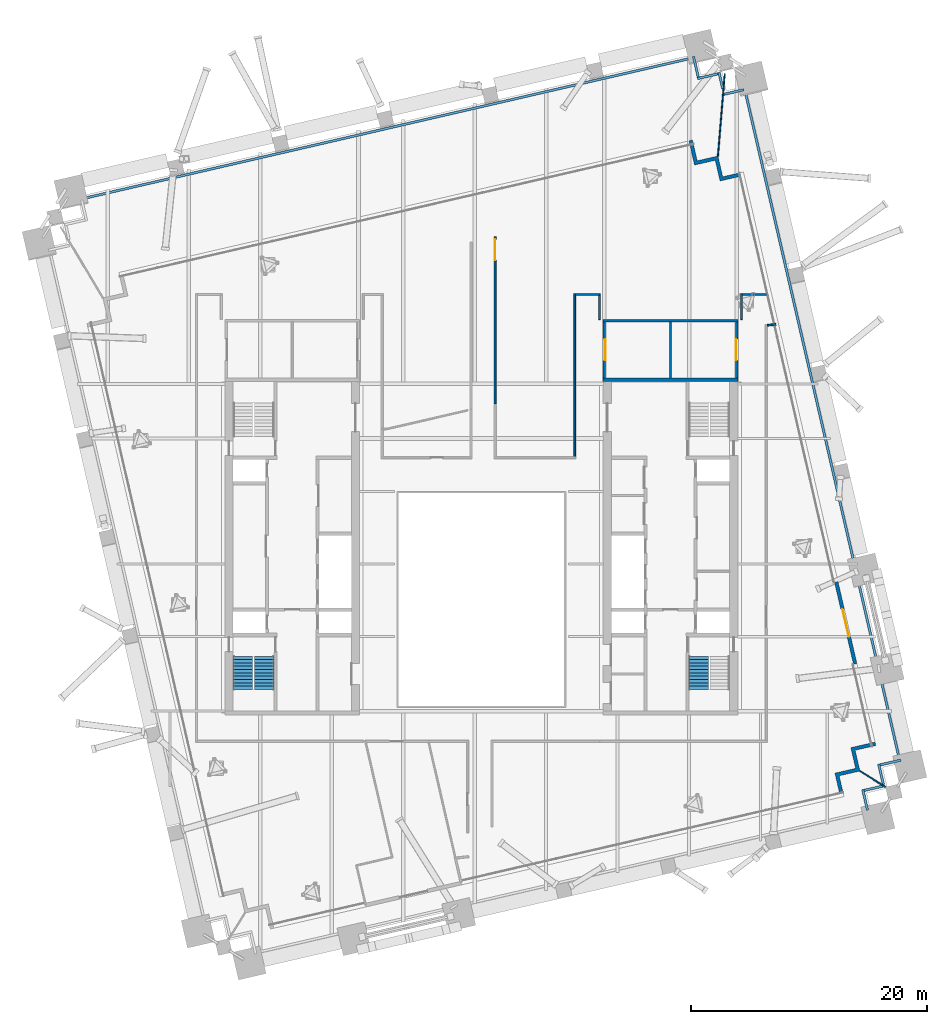
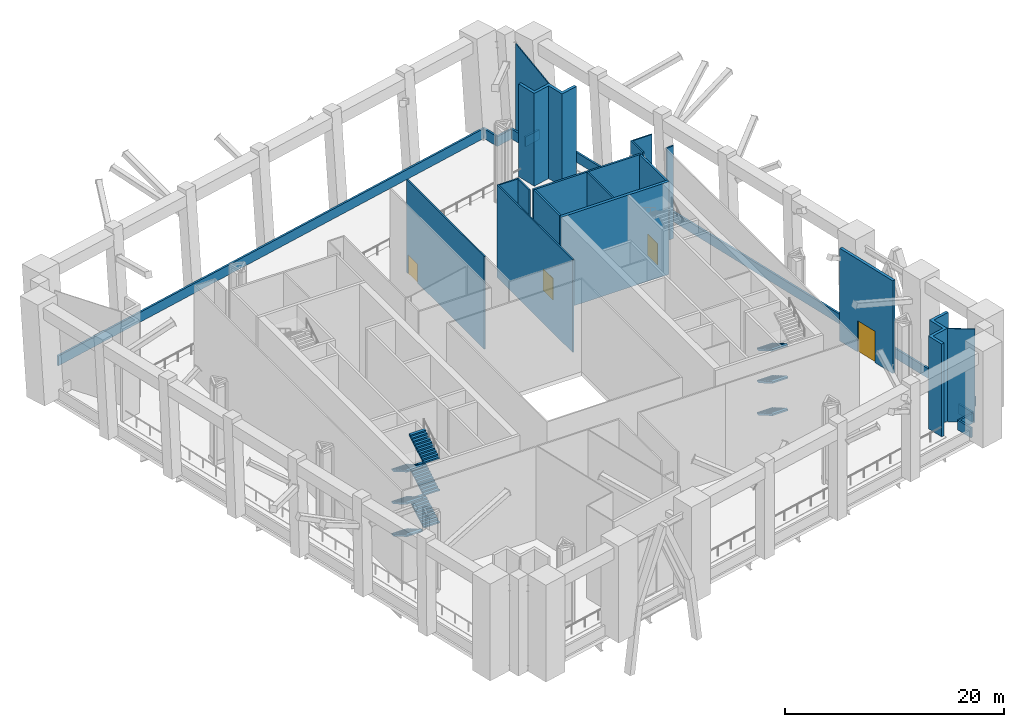
# One storey, part 19 of 25: 27 walls, 9 stair flights, 4 doors, 4 openings, 2 elements without a shape of their own.
"""IFC4 building model written with IfcOpenShell, lengths in metres."""

from ifc_helpers import new_model, si_unit, direction, frame, frame_2d, origin, place, context, subcontext, project, spatial, polyline, rectangle, outline, extrude, material, layer, layer_set, type_object, element, fill, aggregate, save


model = new_model("IFC4")

# Units and contexts
model_context = context("Model", 3, precision=1e-05, world=origin(), true_north=direction((0.0, 1.0)))
body_context = subcontext(model_context, "Body", "Model", "MODEL_VIEW")
ifc_project = project(units=[si_unit("LENGTHUNIT", "METRE"), si_unit("AREAUNIT", "SQUARE_METRE"), si_unit("VOLUMEUNIT", "CUBIC_METRE"), si_unit("PLANEANGLEUNIT", "RADIAN"), si_unit("MASSUNIT", "GRAM", prefix="KILO")], contexts=[model_context])

# Site, building, storey
site_placement = place(None, origin())
site = spatial("IfcSite", under=ifc_project, at=site_placement, CompositionType="ELEMENT")
building_placement = place(site_placement, origin())
building = spatial("IfcBuilding", under=site, at=building_placement, Name="Ogive Exchange Tower", CompositionType="ELEMENT")
storey_placement = place(building_placement, frame((0.0, 0.0, 226.199951171875)))
storey = spatial("IfcBuildingStorey", under=building, at=storey_placement, Name="L50", CompositionType="ELEMENT", Elevation=226.199951171875)

# Wall
ifc_material_1 = material(Name="Gypsum board partition")
ifc_layer_1 = layer(ifc_material_1, 0.14990234375)
ifc_layer_set_1 = layer_set([ifc_layer_1], Name="Core room partition 150 gypsum")
wall_type_1 = type_object("IfcWallType", Name="Core room partition 150 gypsum", PredefinedType="PARTITIONING", material=ifc_layer_set_1)
wall_1_placement = place(storey_placement, frame((16.0, 25.75, 0.0), z_axis=(0.0, 0.0, 1.0), x_axis=(0.0, 1.0, 0.0)))
element("IfcWall", 1, at=wall_1_placement, inside=storey, type_object=wall_type_1, Name="E annex N column wall", PredefinedType="PARTITIONING", context=body_context, shape_type="SweptSolid", body=[
    extrude(rectangle(XDim=4.75, YDim=0.14990234375, at=frame_2d((2.375, 0.0))), origin(), (0.0, 0.0, 1.0), 10.35009765625),
])

# Wall, opening, door
ifc_material_2 = material(Name="Fire partition EI 60 150")
ifc_layer_2 = layer(ifc_material_2, 0.14990234375)
ifc_layer_set_2 = layer_set([ifc_layer_2], Name="Fire partition EI 60 150")
wall_type_2 = type_object("IfcWallType", Name="Fire partition EI 60 150", PredefinedType="PARTITIONING", material=ifc_layer_set_2)
wall_2_placement = place(storey_placement, frame((1.159912109375, 37.71240234375, 0.0), z_axis=(0.0, 0.0, 1.0), x_axis=(0.0, -1.0, 0.0)))
wall_2 = element("IfcWall", 2, at=wall_2_placement, inside=storey, type_object=wall_type_2, Name="L50-PWL-027", PredefinedType="PARTITIONING", context=body_context, shape_type="SweptSolid", body=[
    extrude(rectangle(XDim=14.162353515625, YDim=0.14990234375, at=frame_2d((7.0810546875, 0.0))), origin(), (0.0, 0.0, 1.0), 10.35009765625),
])
opening_1_placement = place(wall_2_placement, frame((0.21240234375, 0.0, 0.0)))
opening_1 = element("IfcOpeningElement", 3, at=opening_1_placement, cuts=wall_2, Name="Opening L50-I05", PredefinedType="OPENING", context=body_context, shape_type="SweptSolid", body=[
    extrude(rectangle(XDim=1.800048828125, YDim=2.10009765625, at=frame_2d((0.89990234375, 1.050048828125))), frame((0.0, 0.0849609375, 0.0), z_axis=(0.0, -1.0, 0.0), x_axis=(1.0, 0.0, 0.0)), (0.0, 0.0, 1.0), 0.169921875),
])
ifc_material_3 = material(Name="Fire door FD 30S 1800 x 2100")
door_type_1 = type_object("IfcDoorType", Name="Fire door FD 30S 1800 x 2100", OperationType="DOUBLE_DOOR_SINGLE_SWING", PredefinedType="DOOR", material=ifc_material_3)
door_1_placement = place(opening_1_placement, origin())
door_1 = element("IfcDoor", 4, at=door_1_placement, inside=storey, type_object=door_type_1, Name="L50-IDR-005", ObjectType="DT4", OperationType="SINGLE_SWING_LEFT", OverallHeight=2.10009765625, OverallWidth=1.800048828125, PredefinedType="DOOR", context=body_context, shape_type="SweptSolid", body=[
    extrude(rectangle(XDim=1.800048828125, YDim=2.10009765625, at=frame_2d((0.89990234375, 1.050048828125))), frame((0.0, 0.02490234375, 0.0), z_axis=(0.0, -1.0, 0.0), x_axis=(1.0, 0.0, 0.0)), (0.0, 0.0, 1.0), 0.050048828125),
])
fill(opening_1, door_1)

# Walls
wall_3_placement = place(storey_placement, frame((7.89990234375, 19.074951171875, 0.0), z_axis=(0.0, 0.0, 1.0), x_axis=(0.0, 1.0, 0.0)))
element("IfcWall", 5, at=wall_3_placement, inside=storey, type_object=wall_type_2, Name="L50-PWL-028", PredefinedType="PARTITIONING", context=body_context, shape_type="SweptSolid", body=[
    extrude(rectangle(XDim=13.800048828125, YDim=0.14990234375, at=frame_2d((6.89990234375, 0.0))), origin(), (0.0, 0.0, 1.0), 10.35009765625),
])
wall_4_placement = place(storey_placement, frame((7.97509765625, 32.800048828125, 0.0), z_axis=(0.0, 0.0, 1.0), x_axis=(1.0, 0.0, 0.0)))
element("IfcWall", 6, at=wall_4_placement, inside=storey, type_object=wall_type_2, Name="L50-PWL-029", PredefinedType="PARTITIONING", context=body_context, shape_type="SweptSolid", body=[
    extrude(rectangle(XDim=2.099853515625, YDim=0.14990234375, at=frame_2d((1.0498046875, 0.0))), origin(), (0.0, 0.0, 1.0), 10.35009765625),
])
wall_5_placement = place(storey_placement, frame((10.0, 32.72509765625, 0.0), z_axis=(0.0, 0.0, 1.0), x_axis=(0.0, -1.0, 0.0)))
element("IfcWall", 7, at=wall_5_placement, inside=storey, type_object=wall_type_2, Name="L50-PWL-031", PredefinedType="PARTITIONING", context=body_context, shape_type="SweptSolid", body=[
    extrude(rectangle(XDim=2.03515625, YDim=0.14990234375, at=frame_2d((1.017578125, 0.0))), origin(), (0.0, 0.0, 1.0), 10.35009765625),
])
wall_6_placement = place(storey_placement, frame((22.0, 30.68994140625, 0.0), z_axis=(0.0, 0.0, 1.0), x_axis=(0.0, 1.0, 0.0)))
element("IfcWall", 8, at=wall_6_placement, inside=storey, type_object=wall_type_2, Name="L50-PWL-032", PredefinedType="PARTITIONING", context=body_context, shape_type="SweptSolid", body=[
    extrude(rectangle(XDim=2.18505859375, YDim=0.14990234375, at=frame_2d((1.092529296875, 0.0))), origin(), (0.0, 0.0, 1.0), 10.35009765625),
])
wall_7_placement = place(storey_placement, frame((22.074951171875, 32.800048828125, 0.0), z_axis=(0.0, 0.0, 1.0), x_axis=(1.0, 0.0, 0.0)))
element("IfcWall", 9, at=wall_7_placement, inside=storey, type_object=wall_type_2, Name="L50-PWL-033", PredefinedType="PARTITIONING", context=body_context, shape_type="SweptSolid", body=[
    extrude(rectangle(XDim=2.025146484375, YDim=0.14990234375, at=frame_2d((1.0126953125, 0.0))), origin(), (0.0, 0.0, 1.0), 10.35009765625),
])
wall_8_placement = place(storey_placement, frame((24.91796875, 30.284912109375, 0.0), z_axis=(0.0, 0.0, 1.0), x_axis=(-0.99339322031, -0.114760227617, 0.0)))
element("IfcWall", 10, at=wall_8_placement, inside=storey, type_object=wall_type_2, Name="L50-PWL-036", PredefinedType="PARTITIONING", context=body_context, shape_type="SweptSolid", body=[
    extrude(rectangle(XDim=0.748779296875, YDim=0.14990234375, at=frame_2d((0.37451171875, 0.0))), origin(), (0.0, 0.0, 1.0), 10.35009765625),
])

# Wall, opening, door
ifc_material_4 = material(Name="Precast concrete C40/50", Category="concrete")
ifc_layer_3 = layer(ifc_material_4, 0.300048828125)
ifc_layer_set_3 = layer_set([ifc_layer_3], Name="Limestone-faced wall 300")
wall_type_3 = type_object("IfcWallType", Name="Limestone-faced wall 300", PredefinedType="STANDARD", material=ifc_layer_set_3)
wall_9_placement = place(storey_placement, frame((31.624267578125, 1.547607421875, 0.0), z_axis=(0.0, 0.0, 1.0), x_axis=(-0.224949733175, 0.9743703698, 0.0)))
wall_9 = element("IfcWall", 11, at=wall_9_placement, inside=storey, type_object=wall_type_3, Name="External wall E2", PredefinedType="STANDARD", context=body_context, shape_type="SweptSolid", body=[
    extrude(rectangle(XDim=7.1142578125, YDim=0.300048828125, at=frame_2d((3.55712890625, 0.0))), origin(), (0.0, 0.0, 1.0), 10.35009765625),
])
opening_2_placement = place(wall_9_placement, frame((2.357177734375, 0.0, 0.0)))
opening_2 = element("IfcOpeningElement", 12, at=opening_2_placement, cuts=wall_9, Name="Opening D1", PredefinedType="OPENING", context=body_context, shape_type="SweptSolid", body=[
    extrude(rectangle(XDim=2.39990234375, YDim=3.5, at=frame_2d((1.199951171875, 1.75))), frame((0.0, 0.159912109375, 0.0), z_axis=(0.0, -1.0, 0.0), x_axis=(1.0, 0.0, 0.0)), (0.0, 0.0, 1.0), 0.320068359375),
])
ifc_material_5 = material(Name="Clear glass in bronze frame", Category="glass")
door_type_2 = type_object("IfcDoorType", Name="Sliding loggia door 2400 x 3500", OperationType="DOUBLE_DOOR_SLIDING", PredefinedType="DOOR", material=ifc_material_5)
door_2_placement = place(opening_2_placement, origin())
door_2 = element("IfcDoor", 13, at=door_2_placement, inside=storey, type_object=door_type_2, Name="Loggia door E01", OperationType="DOUBLE_DOOR_SLIDING", OverallHeight=3.5, OverallWidth=2.39990234375, PredefinedType="DOOR", context=body_context, shape_type="SweptSolid", body=[
    extrude(rectangle(XDim=2.39990234375, YDim=3.5, at=frame_2d((1.199951171875, 1.75))), frame((0.0, 0.02490234375, 0.0), z_axis=(0.0, -1.0, 0.0), x_axis=(1.0, 0.0, 0.0)), (0.0, 0.0, 1.0), 0.050048828125),
])
fill(opening_2, door_2)

# Walls
wall_10_placement = place(storey_placement, origin())
element("IfcWall", 14, at=wall_10_placement, inside=storey, type_object=wall_type_3, Name="External corner wall C1", PredefinedType="STANDARD", context=body_context, shape_type="SweptSolid", body=[
    extrude(outline(polyline([(31.662109375, -7.28466796875), (31.257080078125, -5.53076171875), (33.30322265625, -5.058349609375), (33.370849609375, -5.3505859375), (31.616943359375, -5.755615234375), (32.02197265625, -7.509521484375), (30.26806640625, -7.914306640625), (30.60546875, -9.3759765625), (30.31298828125, -9.443359375), (29.908203125, -7.689697265625), (31.662109375, -7.28466796875)])), origin(), (0.0, 0.0, 1.0), 10.35009765625),
])
wall_11_placement = place(storey_placement, origin())
element("IfcWall", 15, at=wall_11_placement, inside=storey, type_object=wall_type_3, Name="External corner wall C2", PredefinedType="STANDARD", context=body_context, shape_type="SweptSolid", body=[
    extrude(outline(polyline([(19.78466796875, 44.162109375), (18.03076171875, 43.757080078125), (17.558349609375, 45.80322265625), (17.8505859375, 45.870849609375), (18.255615234375, 44.116943359375), (20.009521484375, 44.52197265625), (20.414306640625, 42.76806640625), (21.8759765625, 43.10546875), (21.943359375, 42.81298828125), (20.189697265625, 42.408203125), (19.78466796875, 44.162109375)])), origin(), (0.0, 0.0, 1.0), 10.35009765625),
])
ifc_material_6 = material(Name="Laminated safety glass in steel frame", Category="steel")
ifc_layer_4 = layer(ifc_material_6, 0.10009765625)
ifc_layer_set_4 = layer_set([ifc_layer_4], Name="Loggia end screen 100")
wall_type_4 = type_object("IfcWallType", Name="Loggia end screen 100", PredefinedType="STANDARD", material=ifc_layer_set_4)
wall_12_placement = place(storey_placement, frame((32.02197265625, -7.509521484375, -0.050048828125), z_axis=(0.0, 0.0, 1.0), x_axis=(0.848047176257, -0.529920736377, 0.0)))
element("IfcWall", 16, at=wall_12_placement, inside=storey, type_object=wall_type_4, Name="Loggia end screen C1", PredefinedType="STANDARD", context=body_context, shape_type="SweptSolid", body=[
    extrude(rectangle(XDim=2.525634765625, YDim=0.10009765625, at=frame_2d((1.2626953125, 0.0))), origin(), (0.0, 0.0, 1.0), 10.400146484375),
])
wall_13_placement = place(storey_placement, frame((20.009521484375, 44.52197265625, -0.050048828125), z_axis=(0.0, 0.0, 1.0), x_axis=(0.08298774158, 0.996550568083, 0.0)))
element("IfcWall", 17, at=wall_13_placement, inside=storey, type_object=wall_type_4, Name="Loggia end screen C2", PredefinedType="STANDARD", context=body_context, shape_type="SweptSolid", body=[
    extrude(rectangle(XDim=6.998779296875, YDim=0.10009765625, at=frame_2d((3.49951171875, 0.0))), origin(), (0.0, 0.0, 1.0), 10.400146484375),
])
ifc_layer_5 = layer(ifc_material_4, 0.199951171875)
ifc_layer_set_5 = layer_set([ifc_layer_5], Name="Plant deck parapet 200")
wall_type_5 = type_object("IfcWallType", Name="Plant deck parapet 200", PredefinedType="STANDARD", material=ifc_layer_set_5)
wall_14_placement = place(storey_placement, frame((32.665283203125, -10.829833984375, -0.050048828125), z_axis=(0.0, 0.0, 1.0), x_axis=(-0.224879318197, 0.974386623598, 0.0)))
element("IfcWall", 18, at=wall_14_placement, inside=storey, type_object=wall_type_5, Name="Plant deck parapet 2", PredefinedType="STANDARD", context=body_context, shape_type="SweptSolid", body=[
    extrude(rectangle(XDim=1.800048828125, YDim=0.199951171875, at=frame_2d((0.89990234375, 0.0))), origin(), (0.0, 0.0, 1.0), 1.10009765625),
])
wall_15_placement = place(storey_placement, frame((32.38037109375, -9.15087890625, -0.050048828125), z_axis=(0.0, 0.0, 1.0), x_axis=(0.97439375443, 0.224848418559, 0.0)))
element("IfcWall", 19, at=wall_15_placement, inside=storey, type_object=wall_type_5, Name="Plant deck parapet 3", PredefinedType="STANDARD", context=body_context, shape_type="SweptSolid", body=[
    extrude(rectangle(XDim=1.608154296875, YDim=0.199951171875, at=frame_2d((0.80419921875, 0.0))), origin(), (0.0, 0.0, 1.0), 1.10009765625),
])
for number, where, z_axis, x_axis, name in (
    (20, (34.01416015625, -8.671142578125, -0.050048828125), (0.0, 0.0, 1.0), (-0.224879318197, 0.974386623598, 0.0), "Plant deck parapet 4"),
    (21, (33.729248046875, -6.9921875, -0.050048828125), (0.0, 0.0, 1.0), (0.974356896201, 0.225008086135, 0.0), "Plant deck parapet 5"),
):
    element("IfcWall", number, at=place(storey_placement, frame(where, z_axis=z_axis, x_axis=x_axis)), inside=storey, type_object=wall_type_5, Name=name, PredefinedType="STANDARD", context=body_context, shape_type="SweptSolid", body=[
        extrude(rectangle(XDim=1.800048828125, YDim=0.199951171875, at=frame_2d((0.89990234375, 0.0))), origin(), (0.0, 0.0, 1.0), 1.10009765625),
    ])
wall_16_placement = place(storey_placement, frame((35.36328125, -6.51220703125, -0.050048828125), z_axis=(0.0, 0.0, 1.0), x_axis=(-0.224952557287, 0.974369717802, 0.0)))
element("IfcWall", 22, at=wall_16_placement, inside=storey, type_object=wall_type_5, Name="Plant deck parapet 6", PredefinedType="STANDARD", context=body_context, shape_type="SweptSolid", body=[
    extrude(rectangle(XDim=58.252197265625, YDim=0.199951171875, at=frame_2d((29.1259765625, 0.0))), origin(), (0.0, 0.0, 1.0), 1.10009765625),
])
wall_17_placement = place(storey_placement, frame((22.184326171875, 50.127197265625, -0.050048828125), z_axis=(0.0, 0.0, 1.0), x_axis=(-0.974362461494, -0.224983985278, 0.0)))
element("IfcWall", 23, at=wall_17_placement, inside=storey, type_object=wall_type_5, Name="Plant deck parapet 7", PredefinedType="STANDARD", context=body_context, shape_type="SweptSolid", body=[
    extrude(rectangle(XDim=1.718994140625, YDim=0.199951171875, at=frame_2d((0.859375, 0.0))), origin(), (0.0, 0.0, 1.0), 1.10009765625),
])
wall_18_placement = place(storey_placement, frame((20.418701171875, 50.2177734375, -0.050048828125), z_axis=(0.0, 0.0, 1.0), x_axis=(-0.224872110858, 0.974388286957, 0.0)))
element("IfcWall", 24, at=wall_18_placement, inside=storey, type_object=wall_type_5, Name="Plant deck parapet 8", PredefinedType="STANDARD", context=body_context, shape_type="SweptSolid", body=[
    extrude(rectangle(XDim=1.41455078125, YDim=0.199951171875, at=frame_2d((0.707275390625, 0.0))), origin(), (0.0, 0.0, 1.0), 1.10009765625),
])
wall_19_placement = place(storey_placement, frame((20.025390625, 51.476318359375, -0.050048828125), z_axis=(0.0, 0.0, 1.0), x_axis=(-0.974350028141, -0.22503782496, 0.0)))
element("IfcWall", 25, at=wall_19_placement, inside=storey, type_object=wall_type_5, Name="Plant deck parapet 9", PredefinedType="STANDARD", context=body_context, shape_type="SweptSolid", body=[
    extrude(rectangle(XDim=1.7998046875, YDim=0.199951171875, at=frame_2d((0.89990234375, 0.0))), origin(), (0.0, 0.0, 1.0), 1.10009765625),
])
wall_20_placement = place(storey_placement, frame((18.3466796875, 51.191162109375, -0.050048828125), z_axis=(0.0, 0.0, 1.0), x_axis=(-0.225008086135, 0.974356896201, 0.0)))
element("IfcWall", 26, at=wall_20_placement, inside=storey, type_object=wall_type_5, Name="Plant deck parapet 10", PredefinedType="STANDARD", context=body_context, shape_type="SweptSolid", body=[
    extrude(rectangle(XDim=1.800048828125, YDim=0.199951171875, at=frame_2d((0.89990234375, 0.0))), origin(), (0.0, 0.0, 1.0), 1.10009765625),
])
wall_21_placement = place(storey_placement, frame((17.86669921875, 52.8251953125, -0.050048828125), z_axis=(0.0, 0.0, 1.0), x_axis=(-0.974369750752, -0.224952414565, 0.0)))
element("IfcWall", 27, at=wall_21_placement, inside=storey, type_object=wall_type_5, Name="Plant deck parapet 11", PredefinedType="STANDARD", context=body_context, shape_type="SweptSolid", body=[
    extrude(rectangle(XDim=53.16015625, YDim=0.199951171875, at=frame_2d((26.580078125, 0.0))), origin(), (0.0, 0.0, 1.0), 1.10009765625),
])

# Wall, opening, door
ifc_material_7 = material(Name="Concrete C70/85", Category="concrete")
ifc_layer_6 = layer(ifc_material_7, 0.199951171875)
ifc_layer_set_6 = layer_set([ifc_layer_6], Name="RC core wall 200 C70/85")
wall_type_6 = type_object("IfcWallType", Name="RC core wall 200 C70/85", PredefinedType="SHEAR", material=ifc_layer_set_6)
wall_22_placement = place(storey_placement, frame((21.60009765625, 25.75, 0.0), z_axis=(0.0, 0.0, 1.0), x_axis=(0.0, 1.0, 0.0)))
wall_22 = element("IfcWall", 28, at=wall_22_placement, inside=storey, type_object=wall_type_6, Name="E annex N outer wall", PredefinedType="SHEAR", context=body_context, shape_type="SweptSolid", body=[
    extrude(rectangle(XDim=4.75, YDim=0.199951171875, at=frame_2d((2.375, 0.0))), origin(), (0.0, 0.0, 1.0), 10.35009765625),
])
opening_3_placement = place(wall_22_placement, frame((1.47509765625, 0.0, 0.0)))
opening_3 = element("IfcOpeningElement", 29, at=opening_3_placement, cuts=wall_22, Name="Opening L50-C36", PredefinedType="OPENING", context=body_context, shape_type="SweptSolid", body=[
    extrude(rectangle(XDim=1.800048828125, YDim=2.39990234375, at=frame_2d((0.89990234375, 1.199951171875))), frame((0.0, 0.10986328125, 0.0), z_axis=(0.0, -1.0, 0.0), x_axis=(1.0, 0.0, 0.0)), (0.0, 0.0, 1.0), 0.219970703125),
])
ifc_material_8 = material(Name="Steel fire door", Category="steel")
door_type_3 = type_object("IfcDoorType", Name="Plant room door FD60 1800 x 2400", OperationType="DOUBLE_DOOR_SINGLE_SWING", PredefinedType="DOOR", material=ifc_material_8)
door_3_placement = place(opening_3_placement, origin())
door_3 = element("IfcDoor", 30, at=door_3_placement, inside=storey, type_object=door_type_3, Name="Plant room door", ObjectType="CD1", OperationType="DOUBLE_DOOR_SINGLE_SWING", OverallHeight=2.39990234375, OverallWidth=1.800048828125, PredefinedType="DOOR", context=body_context, shape_type="SweptSolid", body=[
    extrude(rectangle(XDim=1.800048828125, YDim=2.39990234375, at=frame_2d((0.89990234375, 1.199951171875))), frame((0.0, 0.10009765625, 0.0), z_axis=(0.0, -1.0, 0.0), x_axis=(1.0, 0.0, 0.0)), (0.0, 0.0, 1.0), 0.050048828125),
])
fill(opening_3, door_3)

wall_23_placement = place(storey_placement, frame((10.39990234375, 25.75, 0.0), z_axis=(0.0, 0.0, 1.0), x_axis=(0.0, 1.0, 0.0)))
wall_23 = element("IfcWall", 31, at=wall_23_placement, inside=storey, type_object=wall_type_6, Name="E annex N inner wall", PredefinedType="SHEAR", context=body_context, shape_type="SweptSolid", body=[
    extrude(rectangle(XDim=4.75, YDim=0.199951171875, at=frame_2d((2.375, 0.0))), origin(), (0.0, 0.0, 1.0), 10.35009765625),
])
opening_4_placement = place(wall_23_placement, frame((1.47509765625, 0.0, 0.0)))
opening_4 = element("IfcOpeningElement", 32, at=opening_4_placement, cuts=wall_23, Name="Opening L50-C37", PredefinedType="OPENING", context=body_context, shape_type="SweptSolid", body=[
    extrude(rectangle(XDim=1.800048828125, YDim=2.39990234375, at=frame_2d((0.89990234375, 1.199951171875))), frame((0.0, 0.10986328125, 0.0), z_axis=(0.0, -1.0, 0.0), x_axis=(1.0, 0.0, 0.0)), (0.0, 0.0, 1.0), 0.219970703125),
])
door_4_placement = place(opening_4_placement, frame((1.800048828125, -0.14990234375, 0.0), z_axis=(0.0, 0.0, 1.0), x_axis=(-1.0, 0.0, 0.0)))
door_4 = element("IfcDoor", 33, at=door_4_placement, inside=storey, type_object=door_type_3, Name="Plant room door", ObjectType="CD1", OperationType="DOUBLE_DOOR_SINGLE_SWING", OverallHeight=2.39990234375, OverallWidth=1.800048828125, PredefinedType="DOOR", context=body_context, shape_type="SweptSolid", body=[
    extrude(rectangle(XDim=1.800048828125, YDim=2.39990234375, at=frame_2d((0.89990234375, 1.199951171875))), frame((0.0, -0.0498046875, 0.0), z_axis=(0.0, -1.0, 0.0), x_axis=(1.0, 0.0, 0.0)), (0.0, 0.0, 1.0), 0.050048828125),
])
fill(opening_4, door_4)

# Walls
wall_24_placement = place(storey_placement, frame((10.300048828125, 30.60009765625, 0.0), z_axis=(0.0, 0.0, 1.0), x_axis=(1.0, 0.0, 0.0)))
element("IfcWall", 34, at=wall_24_placement, inside=storey, type_object=wall_type_6, Name="E annex N end wall", PredefinedType="SHEAR", context=body_context, shape_type="SweptSolid", body=[
    extrude(rectangle(XDim=11.39990234375, YDim=0.199951171875, at=frame_2d((5.699951171875, 0.0))), origin(), (0.0, 0.0, 1.0), 10.35009765625),
])
ifc_layer_7 = layer(ifc_material_7, 0.300048828125)
ifc_layer_set_7 = layer_set([ifc_layer_7], Name="RC core wall 300 C70/85")
wall_type_7 = type_object("IfcWallType", Name="RC core wall 300 C70/85", PredefinedType="SHEAR", material=ifc_layer_set_7)
wall_25_placement = place(storey_placement, frame((10.300048828125, 25.60009765625, 0.0), z_axis=(0.0, 0.0, 1.0), x_axis=(1.0, 0.0, 0.0)))
element("IfcWall", 35, at=wall_25_placement, inside=storey, type_object=wall_type_7, Name="E north end wall", PredefinedType="SHEAR", context=body_context, shape_type="SweptSolid", body=[
    extrude(rectangle(XDim=11.39990234375, YDim=0.300048828125, at=frame_2d((5.699951171875, 0.0))), origin(), (0.0, 0.0, 1.0), 10.35009765625),
])

# Stair, stair flights
ifc_material_9 = material(Name="Concrete C40/50", Category="concrete")
stair_type = type_object("IfcStairType", Name="Exit stair 1650 wide", PredefinedType="HALF_TURN_STAIR", material=ifc_material_9)
stair_1_placement = place(storey_placement, origin())
stair_1 = element("IfcStair", 36, at=stair_1_placement, inside=storey, type_object=stair_type, Name="L50 exit stair ST1", PredefinedType="HALF_TURN_STAIR")
stair_flight_type = type_object("IfcStairFlightType", Name="Stair flight 1650 wide", PredefinedType="STRAIGHT", material=ifc_material_9)
stair_flight_1_placement = place(storey_placement, frame((-20.175048828125, 2.199951171875, 0.0), z_axis=(0.0, 0.0, 1.0), x_axis=(0.0, -1.0, 0.0)))
stair_flight_1 = element("IfcStairFlight", 37, at=stair_flight_1_placement, type_object=stair_flight_type, Name="ST1 flight 1", NumberOfRisers=11, NumberOfTreads=10, PredefinedType="STRAIGHT", RiserHeight=0.163636364, TreadLength=0.281, context=body_context, shape_type="SweptSolid", body=[
    extrude(outline(polyline([(0.0, 0.0), (0.0, 0.16357421875), (0.281005859375, 0.16357421875), (0.281005859375, 0.327392578125), (0.56201171875, 0.327392578125), (0.56201171875, 0.490966796875), (0.843017578125, 0.490966796875), (0.843017578125, 0.654541015625), (1.1240234375, 0.654541015625), (1.1240234375, 0.818115234375), (1.405029296875, 0.818115234375), (1.405029296875, 0.98193359375), (1.68603515625, 0.98193359375), (1.68603515625, 1.1455078125), (1.967041015625, 1.1455078125), (1.967041015625, 1.30908203125), (2.248046875, 1.30908203125), (2.248046875, 1.47265625), (2.529052734375, 1.47265625), (2.529052734375, 1.636474609375), (2.81005859375, 1.636474609375), (2.81005859375, 1.800048828125), (2.81005859375, 1.462890625), (0.2978515625, 0.0), (0.0, 0.0)])), frame((0.0, 0.824951171875, 0.0), z_axis=(0.0, -1.0, 0.0), x_axis=(1.0, 0.0, 0.0)), (0.0, 0.0, 1.0), 1.64990234375),
])
stair_flight_2_placement = place(storey_placement, frame((-18.375, -0.610107421875, 1.800048828125), z_axis=(0.0, 0.0, 1.0), x_axis=(0.0, 1.0, 0.0)))
stair_flight_2 = element("IfcStairFlight", 38, at=stair_flight_2_placement, type_object=stair_flight_type, Name="ST1 flight 2", NumberOfRisers=11, NumberOfTreads=10, PredefinedType="STRAIGHT", RiserHeight=0.163636364, TreadLength=0.281, context=body_context, shape_type="SweptSolid", body=[
    extrude(outline(polyline([(0.0, 0.0), (0.0, 0.16357421875), (0.281005859375, 0.16357421875), (0.281005859375, 0.327392578125), (0.56201171875, 0.327392578125), (0.56201171875, 0.490966796875), (0.843017578125, 0.490966796875), (0.843017578125, 0.654541015625), (1.1240234375, 0.654541015625), (1.1240234375, 0.818115234375), (1.405029296875, 0.818115234375), (1.405029296875, 0.98193359375), (1.68603515625, 0.98193359375), (1.68603515625, 1.1455078125), (1.967041015625, 1.1455078125), (1.967041015625, 1.30908203125), (2.248046875, 1.30908203125), (2.248046875, 1.47265625), (2.529052734375, 1.47265625), (2.529052734375, 1.636474609375), (2.81005859375, 1.636474609375), (2.81005859375, 1.800048828125), (2.81005859375, 1.462890625), (0.2978515625, 0.0), (0.0, 0.0)])), frame((0.0, 0.824951171875, 0.0), z_axis=(0.0, -1.0, 0.0), x_axis=(1.0, 0.0, 0.0)), (0.0, 0.0, 1.0), 1.64990234375),
])
stair_flight_3_placement = place(storey_placement, frame((-20.175048828125, 2.199951171875, 3.60009765625), z_axis=(0.0, 0.0, 1.0), x_axis=(0.0, -1.0, 0.0)))
stair_flight_3 = element("IfcStairFlight", 39, at=stair_flight_3_placement, type_object=stair_flight_type, Name="ST1 flight 3", NumberOfRisers=11, NumberOfTreads=10, PredefinedType="STRAIGHT", RiserHeight=0.163636364, TreadLength=0.281, context=body_context, shape_type="SweptSolid", body=[
    extrude(outline(polyline([(0.0, 0.0), (0.0, 0.16357421875), (0.281005859375, 0.16357421875), (0.281005859375, 0.327392578125), (0.56201171875, 0.327392578125), (0.56201171875, 0.490966796875), (0.843017578125, 0.490966796875), (0.843017578125, 0.654541015625), (1.1240234375, 0.654541015625), (1.1240234375, 0.818115234375), (1.405029296875, 0.818115234375), (1.405029296875, 0.98193359375), (1.68603515625, 0.98193359375), (1.68603515625, 1.1455078125), (1.967041015625, 1.1455078125), (1.967041015625, 1.30908203125), (2.248046875, 1.30908203125), (2.248046875, 1.47265625), (2.529052734375, 1.47265625), (2.529052734375, 1.636474609375), (2.81005859375, 1.636474609375), (2.81005859375, 1.800048828125), (2.81005859375, 1.462890625), (0.2978515625, 0.0), (0.0, 0.0)])), frame((0.0, 0.824951171875, 0.0), z_axis=(0.0, -1.0, 0.0), x_axis=(1.0, 0.0, 0.0)), (0.0, 0.0, 1.0), 1.64990234375),
])
stair_flight_4_placement = place(storey_placement, frame((-18.375, -0.610107421875, 5.400146484375), z_axis=(0.0, 0.0, 1.0), x_axis=(0.0, 1.0, 0.0)))
stair_flight_4 = element("IfcStairFlight", 40, at=stair_flight_4_placement, type_object=stair_flight_type, Name="ST1 flight 4", NumberOfRisers=11, NumberOfTreads=10, PredefinedType="STRAIGHT", RiserHeight=0.163636364, TreadLength=0.281, context=body_context, shape_type="SweptSolid", body=[
    extrude(outline(polyline([(0.0, 0.0), (0.0, 0.16357421875), (0.281005859375, 0.16357421875), (0.281005859375, 0.327392578125), (0.56201171875, 0.327392578125), (0.56201171875, 0.490966796875), (0.843017578125, 0.490966796875), (0.843017578125, 0.654541015625), (1.1240234375, 0.654541015625), (1.1240234375, 0.818115234375), (1.405029296875, 0.818115234375), (1.405029296875, 0.98193359375), (1.68603515625, 0.98193359375), (1.68603515625, 1.1455078125), (1.967041015625, 1.1455078125), (1.967041015625, 1.30908203125), (2.248046875, 1.30908203125), (2.248046875, 1.47265625), (2.529052734375, 1.47265625), (2.529052734375, 1.636474609375), (2.81005859375, 1.636474609375), (2.81005859375, 1.800048828125), (2.81005859375, 1.462890625), (0.2978515625, 0.0), (0.0, 0.0)])), frame((0.0, 0.824951171875, 0.0), z_axis=(0.0, -1.0, 0.0), x_axis=(1.0, 0.0, 0.0)), (0.0, 0.0, 1.0), 1.64990234375),
])
stair_flight_5_placement = place(storey_placement, frame((-20.175048828125, 2.199951171875, 7.199951171875), z_axis=(0.0, 0.0, 1.0), x_axis=(0.0, -1.0, 0.0)))
stair_flight_5 = element("IfcStairFlight", 41, at=stair_flight_5_placement, type_object=stair_flight_type, Name="ST1 flight 5", NumberOfRisers=11, NumberOfTreads=10, PredefinedType="STRAIGHT", RiserHeight=0.163636364, TreadLength=0.281, context=body_context, shape_type="SweptSolid", body=[
    extrude(outline(polyline([(0.0, 0.0), (0.0, 0.16357421875), (0.281005859375, 0.16357421875), (0.281005859375, 0.327392578125), (0.56201171875, 0.327392578125), (0.56201171875, 0.490966796875), (0.843017578125, 0.490966796875), (0.843017578125, 0.654541015625), (1.1240234375, 0.654541015625), (1.1240234375, 0.818115234375), (1.405029296875, 0.818115234375), (1.405029296875, 0.98193359375), (1.68603515625, 0.98193359375), (1.68603515625, 1.1455078125), (1.967041015625, 1.1455078125), (1.967041015625, 1.30908203125), (2.248046875, 1.30908203125), (2.248046875, 1.47265625), (2.529052734375, 1.47265625), (2.529052734375, 1.636474609375), (2.81005859375, 1.636474609375), (2.81005859375, 1.800048828125), (2.81005859375, 1.462890625), (0.2978515625, 0.0), (0.0, 0.0)])), frame((0.0, 0.824951171875, 0.0), z_axis=(0.0, -1.0, 0.0), x_axis=(1.0, 0.0, 0.0)), (0.0, 0.0, 1.0), 1.64990234375),
])
stair_flight_6_placement = place(storey_placement, frame((-18.375, -0.610107421875, 9.0), z_axis=(0.0, 0.0, 1.0), x_axis=(0.0, 1.0, 0.0)))
stair_flight_6 = element("IfcStairFlight", 42, at=stair_flight_6_placement, type_object=stair_flight_type, Name="ST1 flight 6", NumberOfRisers=11, NumberOfTreads=10, PredefinedType="STRAIGHT", RiserHeight=0.163636364, TreadLength=0.281, context=body_context, shape_type="SweptSolid", body=[
    extrude(outline(polyline([(0.0, 0.0), (0.0, 0.16357421875), (0.281005859375, 0.16357421875), (0.281005859375, 0.327392578125), (0.56201171875, 0.327392578125), (0.56201171875, 0.490966796875), (0.843017578125, 0.490966796875), (0.843017578125, 0.654541015625), (1.1240234375, 0.654541015625), (1.1240234375, 0.818115234375), (1.405029296875, 0.818115234375), (1.405029296875, 0.98193359375), (1.68603515625, 0.98193359375), (1.68603515625, 1.1455078125), (1.967041015625, 1.1455078125), (1.967041015625, 1.30908203125), (2.248046875, 1.30908203125), (2.248046875, 1.47265625), (2.529052734375, 1.47265625), (2.529052734375, 1.636474609375), (2.81005859375, 1.636474609375), (2.81005859375, 1.800048828125), (2.81005859375, 1.462890625), (0.2978515625, 0.0), (0.0, 0.0)])), frame((0.0, 0.824951171875, 0.0), z_axis=(0.0, -1.0, 0.0), x_axis=(1.0, 0.0, 0.0)), (0.0, 0.0, 1.0), 1.64990234375),
])
aggregate(stair_1, [stair_flight_1, stair_flight_2, stair_flight_3, stair_flight_4, stair_flight_5, stair_flight_6])

stair_2_placement = place(storey_placement, origin())
stair_2 = element("IfcStair", 43, at=stair_2_placement, inside=storey, type_object=stair_type, Name="L50 exit stair ST3", PredefinedType="HALF_TURN_STAIR")
stair_flight_7_placement = place(storey_placement, frame((18.375, 2.199951171875, 0.0), z_axis=(0.0, 0.0, 1.0), x_axis=(0.0, -1.0, 0.0)))
stair_flight_7 = element("IfcStairFlight", 44, at=stair_flight_7_placement, type_object=stair_flight_type, Name="ST3 flight 1", NumberOfRisers=11, NumberOfTreads=10, PredefinedType="STRAIGHT", RiserHeight=0.163636364, TreadLength=0.281, context=body_context, shape_type="SweptSolid", body=[
    extrude(outline(polyline([(0.0, 0.0), (0.0, 0.16357421875), (0.281005859375, 0.16357421875), (0.281005859375, 0.327392578125), (0.56201171875, 0.327392578125), (0.56201171875, 0.490966796875), (0.843017578125, 0.490966796875), (0.843017578125, 0.654541015625), (1.1240234375, 0.654541015625), (1.1240234375, 0.818115234375), (1.405029296875, 0.818115234375), (1.405029296875, 0.98193359375), (1.68603515625, 0.98193359375), (1.68603515625, 1.1455078125), (1.967041015625, 1.1455078125), (1.967041015625, 1.30908203125), (2.248046875, 1.30908203125), (2.248046875, 1.47265625), (2.529052734375, 1.47265625), (2.529052734375, 1.636474609375), (2.81005859375, 1.636474609375), (2.81005859375, 1.800048828125), (2.81005859375, 1.462890625), (0.2978515625, 0.0), (0.0, 0.0)])), frame((0.0, 0.824951171875, 0.0), z_axis=(0.0, -1.0, 0.0), x_axis=(1.0, 0.0, 0.0)), (0.0, 0.0, 1.0), 1.64990234375),
])
stair_flight_8_placement = place(storey_placement, frame((18.375, 2.199951171875, 3.60009765625), z_axis=(0.0, 0.0, 1.0), x_axis=(0.0, -1.0, 0.0)))
stair_flight_8 = element("IfcStairFlight", 45, at=stair_flight_8_placement, type_object=stair_flight_type, Name="ST3 flight 3", NumberOfRisers=11, NumberOfTreads=10, PredefinedType="STRAIGHT", RiserHeight=0.163636364, TreadLength=0.281, context=body_context, shape_type="SweptSolid", body=[
    extrude(outline(polyline([(0.0, 0.0), (0.0, 0.16357421875), (0.281005859375, 0.16357421875), (0.281005859375, 0.327392578125), (0.56201171875, 0.327392578125), (0.56201171875, 0.490966796875), (0.843017578125, 0.490966796875), (0.843017578125, 0.654541015625), (1.1240234375, 0.654541015625), (1.1240234375, 0.818115234375), (1.405029296875, 0.818115234375), (1.405029296875, 0.98193359375), (1.68603515625, 0.98193359375), (1.68603515625, 1.1455078125), (1.967041015625, 1.1455078125), (1.967041015625, 1.30908203125), (2.248046875, 1.30908203125), (2.248046875, 1.47265625), (2.529052734375, 1.47265625), (2.529052734375, 1.636474609375), (2.81005859375, 1.636474609375), (2.81005859375, 1.800048828125), (2.81005859375, 1.462890625), (0.2978515625, 0.0), (0.0, 0.0)])), frame((0.0, 0.824951171875, 0.0), z_axis=(0.0, -1.0, 0.0), x_axis=(1.0, 0.0, 0.0)), (0.0, 0.0, 1.0), 1.64990234375),
])
stair_flight_9_placement = place(storey_placement, frame((18.375, 2.199951171875, 7.199951171875), z_axis=(0.0, 0.0, 1.0), x_axis=(0.0, -1.0, 0.0)))
stair_flight_9 = element("IfcStairFlight", 46, at=stair_flight_9_placement, type_object=stair_flight_type, Name="ST3 flight 5", NumberOfRisers=11, NumberOfTreads=10, PredefinedType="STRAIGHT", RiserHeight=0.163636364, TreadLength=0.281, context=body_context, shape_type="SweptSolid", body=[
    extrude(outline(polyline([(0.0, 0.0), (0.0, 0.16357421875), (0.281005859375, 0.16357421875), (0.281005859375, 0.327392578125), (0.56201171875, 0.327392578125), (0.56201171875, 0.490966796875), (0.843017578125, 0.490966796875), (0.843017578125, 0.654541015625), (1.1240234375, 0.654541015625), (1.1240234375, 0.818115234375), (1.405029296875, 0.818115234375), (1.405029296875, 0.98193359375), (1.68603515625, 0.98193359375), (1.68603515625, 1.1455078125), (1.967041015625, 1.1455078125), (1.967041015625, 1.30908203125), (2.248046875, 1.30908203125), (2.248046875, 1.47265625), (2.529052734375, 1.47265625), (2.529052734375, 1.636474609375), (2.81005859375, 1.636474609375), (2.81005859375, 1.800048828125), (2.81005859375, 1.462890625), (0.2978515625, 0.0), (0.0, 0.0)])), frame((0.0, 0.824951171875, 0.0), z_axis=(0.0, -1.0, 0.0), x_axis=(1.0, 0.0, 0.0)), (0.0, 0.0, 1.0), 1.64990234375),
])
aggregate(stair_2, [stair_flight_7, stair_flight_8, stair_flight_9])

save(model, "model.ifc")
